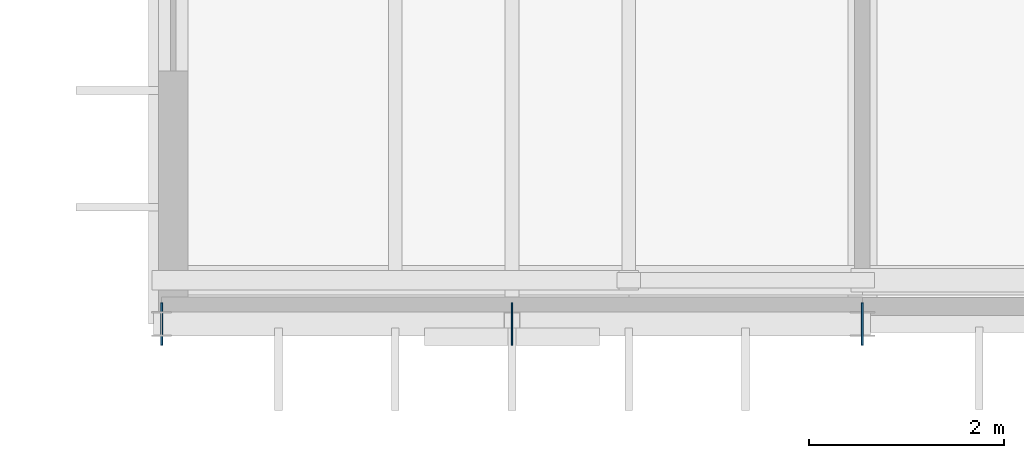
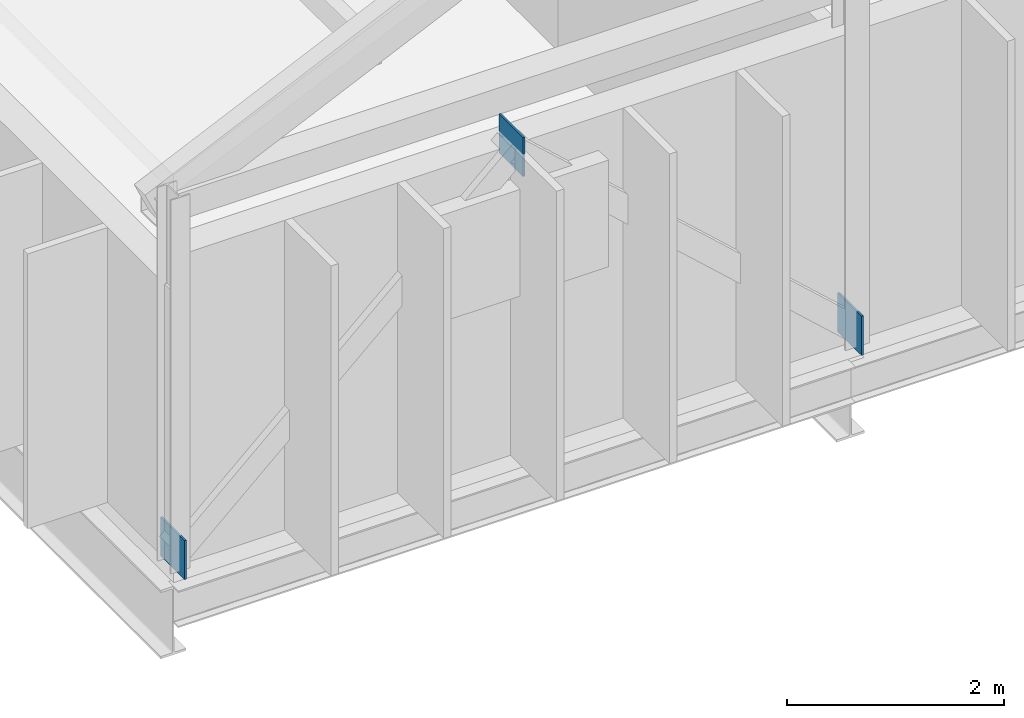
# One storey, part 33 of 52: 3 plates.
"""IFC4 building model written with IfcOpenShell, lengths in metres."""

from ifc_helpers import new_model, si_unit, direction, frame, origin, origin_2d, place, context, subcontext, project, spatial, rectangle, extrude, material, layer, layer_set, type_object, element, save


model = new_model("IFC4")

# Units and contexts
model_context = context("Model", 3, precision=1e-05, world=origin(), true_north=direction((0.0, 1.0)))
body_context = subcontext(model_context, "Body", "Model", "MODEL_VIEW")
ifc_project = project(units=[si_unit("LENGTHUNIT", "METRE"), si_unit("AREAUNIT", "SQUARE_METRE"), si_unit("VOLUMEUNIT", "CUBIC_METRE"), si_unit("PLANEANGLEUNIT", "RADIAN"), si_unit("MASSUNIT", "GRAM", prefix="KILO")], contexts=[model_context])

# Site, building, storey
site_placement = place(None, origin())
site = spatial("IfcSite", under=ifc_project, at=site_placement, CompositionType="ELEMENT")
building_placement = place(site_placement, origin())
building = spatial("IfcBuilding", under=site, at=building_placement, Name="Qelthora Terrace Specialist Clinic", CompositionType="ELEMENT")
storey_placement = place(building_placement, frame((0.0, 0.0, 17.39990234375)))
storey = spatial("IfcBuildingStorey", under=building, at=storey_placement, Name="L04", CompositionType="ELEMENT", Elevation=17.39990234375)

# Plates
ifc_material = material(Name="Steel S355", Category="steel")
ifc_layer = layer(ifc_material, 0.02001953125)
ifc_layer_set = layer_set([ifc_layer], Name="Steel S355")
plate_type = type_object("IfcPlateType", Name="PLT-GUS-480X480X20", PredefinedType="USERDEFINED", material=ifc_layer_set)
for number, where, z_axis, x_axis, name in (
    (1, (93.60009765625, 33.60009765625, -0.039794921875), (0.0, 0.0, 1.0), (1.0, 0.0, 0.0), "Steel truss node plate GPLT-0215"),
    (2, (97.199951171875, 33.60009765625, 3.230224609375), (0.0, 0.0, 1.0), (1.0, 0.0, 0.0), "Steel truss node plate GPLT-0216"),
    (3, (100.800048828125, 33.60009765625, -0.039794921875), (0.0, 0.0, 1.0), (1.0, 0.0, 0.0), "Steel truss node plate GPLT-0217"),
):
    element("IfcPlate", number, at=place(storey_placement, frame(where, z_axis=z_axis, x_axis=x_axis)), inside=storey, type_object=plate_type, Name=name, ObjectType="GUSSET PLATE", PredefinedType="USERDEFINED", context=body_context, shape_type="SweptSolid", body=[
        extrude(rectangle(XDim=0.02001953125, YDim=0.43994140625, at=origin_2d()), origin(), (0.0, 0.0, 1.0), 0.43994140625),
    ])

save(model, "model.ifc")
